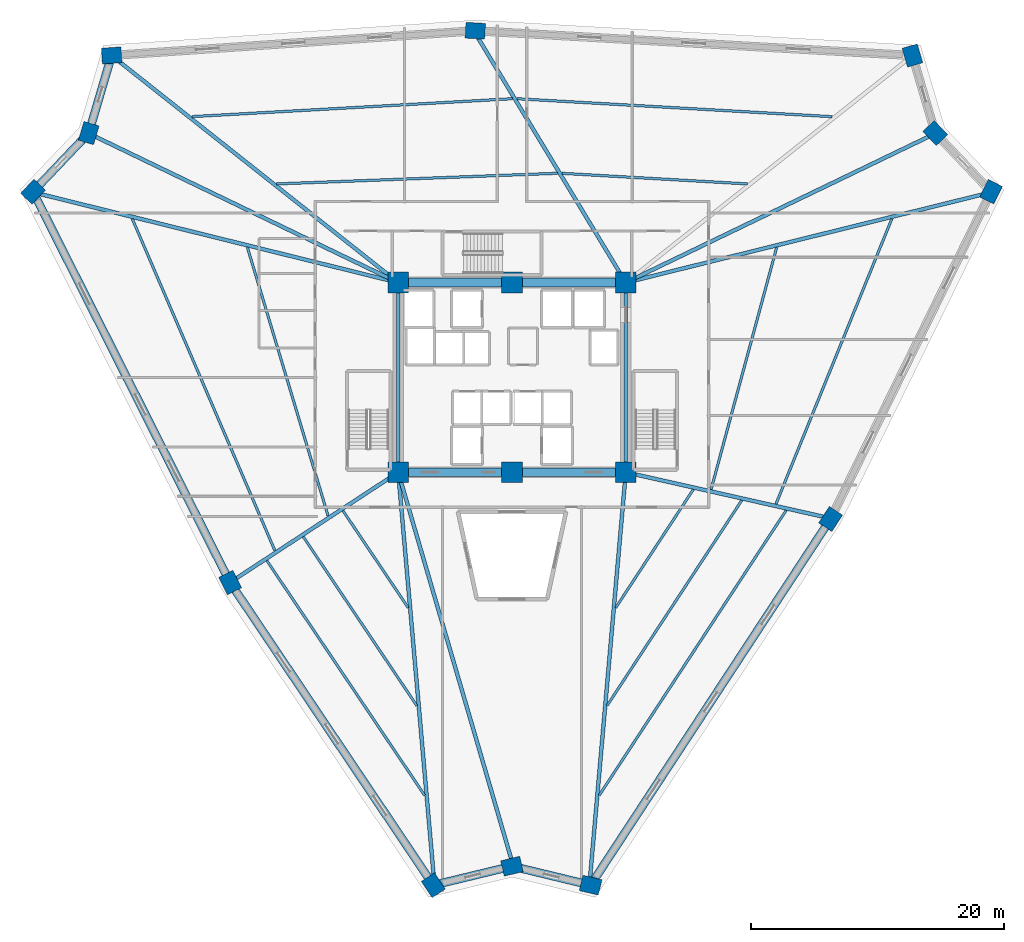
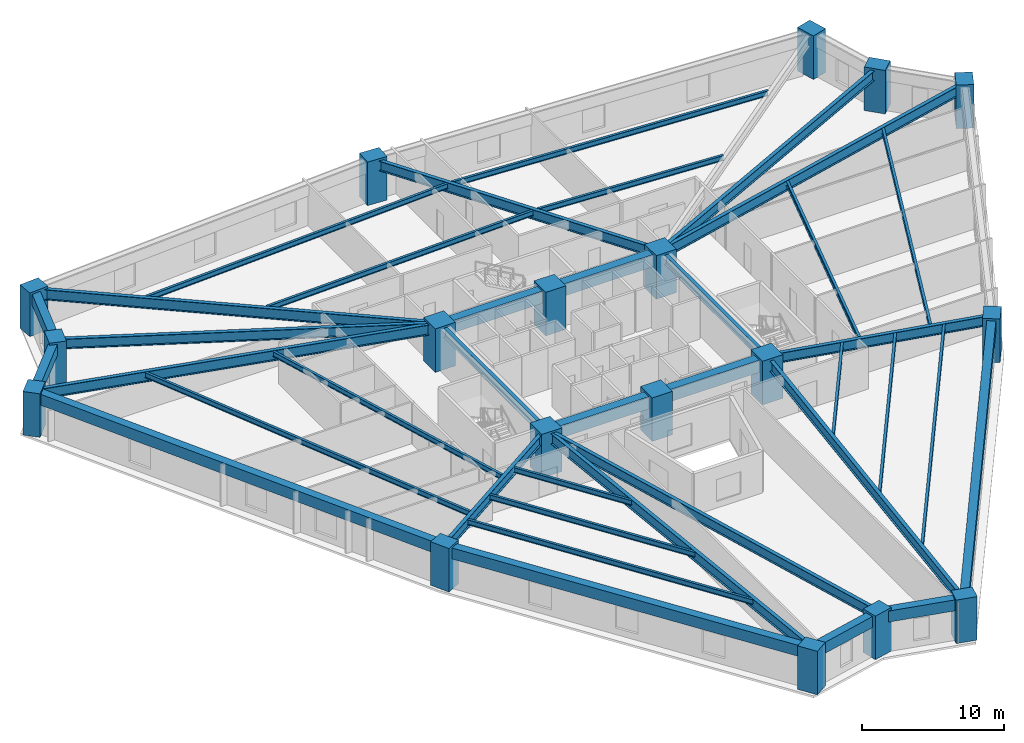
# One storey, part 1 of 8: 38 beams, 18 columns.
"""IFC4 building model written with IfcOpenShell, lengths in metres."""

from ifc_helpers import new_model, si_unit, direction, frame, origin, origin_2d, place, context, subcontext, project, spatial, rectangle, i_section, extrude, source, transform, mapped, material, material_profile, profile_set, type_object, element, save


model = new_model("IFC4")

# Units and contexts
model_context = context("Model", 3, precision=1e-05, world=origin(), true_north=direction((0.0, 1.0)))
body_context = subcontext(model_context, "Body", "Model", "MODEL_VIEW")
ifc_project = project(units=[si_unit("LENGTHUNIT", "METRE"), si_unit("AREAUNIT", "SQUARE_METRE"), si_unit("VOLUMEUNIT", "CUBIC_METRE"), si_unit("PLANEANGLEUNIT", "RADIAN"), si_unit("MASSUNIT", "GRAM", prefix="KILO")], contexts=[model_context])

# Site, building, storey
site_placement = place(None, origin())
site = spatial("IfcSite", under=ifc_project, at=site_placement, CompositionType="ELEMENT")
building_placement = place(site_placement, origin())
building = spatial("IfcBuilding", under=site, at=building_placement, Name="Liaohun Quay Tower", CompositionType="ELEMENT")
storey_placement = place(building_placement, frame((0.0, 0.0, 81.75)))
storey = spatial("IfcBuildingStorey", under=building, at=storey_placement, Name="L21", CompositionType="ELEMENT", Elevation=81.75)

# Columns
ifc_material_1 = material(Name="Concrete C60", Category="concrete")
ifc_material_profile_1 = material_profile(ifc_material_1, rectangle(XDim=1.64990234375, YDim=1.64990234375, at=origin_2d()), Name="RC1650x1650")
ifc_profile_set_1 = profile_set([ifc_material_profile_1], Name="Concrete C60")
column_type_1 = type_object("IfcColumnType", Name="COL-CC-Z1", PredefinedType="COLUMN", material=ifc_profile_set_1)
shared_shape_1 = source(origin(), body_context, "Body", "SweptSolid", [
    extrude(rectangle(XDim=1.64990234375, YDim=1.64990234375, at=origin_2d()), origin(), (0.0, 0.0, 1.0), 3.75),
])
for number, where, z_axis, x_axis, name in (
    (1, (51.0, 46.5, 0.0), (0.0, 0.0, 1.0), (1.0, 0.0, 0.0), "L21 Core Column CC1"),
    (2, (60.0, 46.5, 0.0), (0.0, 0.0, 1.0), (1.0, 0.0, 0.0), "L21 Core Column CC2"),
    (3, (69.0, 46.5, 0.0), (0.0, 0.0, 1.0), (1.0, 0.0, 0.0), "L21 Core Column CC3"),
    (4, (69.0, 61.5, 0.0), (0.0, 0.0, 1.0), (1.0, 0.0, 0.0), "L21 Core Column CC4"),
    (5, (60.0, 61.5, 0.0), (0.0, 0.0, 1.0), (1.0, 0.0, 0.0), "L21 Core Column CC5"),
    (6, (51.0, 61.5, 0.0), (0.0, 0.0, 1.0), (1.0, 0.0, 0.0), "L21 Core Column CC6"),
):
    element("IfcColumn", number, at=place(storey_placement, frame(where, z_axis=z_axis, x_axis=x_axis)), inside=storey, type_object=column_type_1, Name=name, PredefinedType="COLUMN", context=body_context, shape_type="MappedRepresentation", body=[
        mapped(shared_shape_1, transform((0.0, 0.0, 0.0), x_axis=(1.0, 0.0, 0.0), y_axis=(0.0, 1.0, 0.0), z_axis=(0.0, 0.0, 1.0), scale=1.0)),
    ])
ifc_material_profile_2 = material_profile(ifc_material_1, rectangle(XDim=1.550048828125, YDim=1.25, at=origin_2d()), Name="RC1550x1250")
ifc_profile_set_2 = profile_set([ifc_material_profile_2], Name="Concrete C60")
column_type_2 = type_object("IfcColumnType", Name="COL-PIER-Z1", PredefinedType="COLUMN", material=ifc_profile_set_2)
shared_shape_2 = source(origin(), body_context, "Body", "SweptSolid", [
    extrude(rectangle(XDim=1.550048828125, YDim=1.25, at=origin_2d()), origin(), (0.0, 0.0, 1.0), 3.75),
])
for number, where, z_axis, x_axis, name in (
    (7, (53.777099609375, 13.843994140625, 0.0), (0.0, 0.0, 1.0), (-0.557455346062, 0.830206924295, 0.0), "L21 Perimeter Pier PC01"),
    (8, (37.70703125, 37.777099609375, 0.0), (0.0, 0.0, 1.0), (-0.450254288408, 0.892900372813, 0.0), "L21 Perimeter Pier PC02"),
    (9, (22.117919921875, 68.693115234375, 0.0), (0.0, 0.0, 1.0), (0.68936671806, 0.724412539946, 0.0), "L21 Perimeter Pier PC03"),
    (10, (26.52587890625, 73.325927734375, 0.0), (0.0, 0.0, 1.0), (0.282676303383, 0.959215360337, 0.0), "L21 Perimeter Pier PC04"),
    (11, (28.3359375, 79.467041015625, 0.0), (0.0, 0.0, 1.0), (0.997707959868, 0.067667029017, 0.0), "L21 Perimeter Pier PC05"),
    (12, (57.096923828125, 81.41796875, 0.0), (0.0, 0.0, 1.0), (-0.998401550109, 0.056518534482, 0.0), "L21 Perimeter Pier PC06"),
    (13, (91.666015625, 79.4599609375, 0.0), (0.0, 0.0, 1.0), (-0.282676303383, 0.959215360337, 0.0), "L21 Perimeter Pier PC07"),
    (14, (93.47412109375, 73.325927734375, 0.0), (0.0, 0.0, 1.0), (-0.68936671806, 0.724412539946, 0.0), "L21 Perimeter Pier PC08"),
    (15, (97.886962890625, 68.68798828125, 0.0), (0.0, 0.0, 1.0), (0.440252613806, 0.897873953312, 0.0), "L21 Perimeter Pier PC09"),
    (16, (85.196044921875, 42.805908203125, 0.0), (0.0, 0.0, 1.0), (0.548147261701, 0.836381838331, 0.0), "L21 Perimeter Pier PC10"),
    (17, (66.216064453125, 13.845947265625, 0.0), (0.0, 0.0, 1.0), (-0.972043021443, 0.234802820391, 0.0), "L21 Perimeter Pier PC11"),
    (18, (60.0, 15.346923828125, 0.0), (0.0, 0.0, 1.0), (0.972043021443, 0.234802820391, 0.0), "L21 Perimeter Pier PC12"),
):
    element("IfcColumn", number, at=place(storey_placement, frame(where, z_axis=z_axis, x_axis=x_axis)), inside=storey, type_object=column_type_2, Name=name, PredefinedType="COLUMN", context=body_context, shape_type="MappedRepresentation", body=[
        mapped(shared_shape_2, transform((0.0, 0.0, 0.0), x_axis=(1.0, 0.0, 0.0), y_axis=(0.0, 1.0, 0.0), z_axis=(0.0, 0.0, 1.0), scale=1.0)),
    ])

# Beams
ifc_material_profile_3 = material_profile(ifc_material_1, rectangle(XDim=0.699951171875, YDim=1.050048828125, at=origin_2d()), Name="RC700x1050")
ifc_profile_set_3 = profile_set([ifc_material_profile_3], Name="Concrete C60")
beam_type_1 = type_object("IfcBeamType", Name="BM-CPL-1", PredefinedType="LINTEL", material=ifc_profile_set_3)
shared_shape_3 = source(origin(), body_context, "Body", "SweptSolid", [
    extrude(rectangle(XDim=0.699951171875, YDim=1.050048828125, at=origin_2d()), origin(), (0.0, 0.0, 1.0), 9.0),
])
for number, where, z_axis, x_axis, name in (
    (19, (51.0, 46.5, 3.044921875), (1.0, 0.0, 0.0), (0.0, 1.0, 0.0), "L21 Core Coupling/Ring Beam CC1-CC2"),
    (20, (60.0, 46.5, 3.044921875), (1.0, 0.0, 0.0), (0.0, 1.0, 0.0), "L21 Core Coupling/Ring Beam CC2-CC3"),
    (21, (69.0, 61.5, 3.044921875), (-1.0, 0.0, 0.0), (0.0, -1.0, 0.0), "L21 Core Coupling/Ring Beam CC4-CC5"),
    (22, (60.0, 61.5, 3.044921875), (-1.0, 0.0, 0.0), (0.0, -1.0, 0.0), "L21 Core Coupling/Ring Beam CC5-CC6"),
):
    element("IfcBeam", number, at=place(storey_placement, frame(where, z_axis=z_axis, x_axis=x_axis)), inside=storey, type_object=beam_type_1, Name=name, PredefinedType="LINTEL", context=body_context, shape_type="MappedRepresentation", body=[
        mapped(shared_shape_3, transform((0.0, 0.0, 0.0), x_axis=(1.0, 0.0, 0.0), y_axis=(0.0, 1.0, 0.0), z_axis=(0.0, 0.0, 1.0), scale=1.0)),
    ])
ifc_material_2 = material(Name="Steel Q355D", Category="steel")
ifc_material_profile_4 = material_profile(ifc_material_2, i_section(OverallWidth=0.300048828125, OverallDepth=0.800048828125, WebThickness=0.013916015625, FlangeThickness=0.02587890625, at=origin_2d()), Name="HN800x300x14x26")
ifc_profile_set_4 = profile_set([ifc_material_profile_4], Name="Steel Q355D")
beam_type_2 = type_object("IfcBeamType", Name="BM-RAD-M1", PredefinedType="BEAM", material=ifc_profile_set_4)
shared_shape_4 = source(origin(), body_context, "Body", "SweptSolid", [
    extrude(i_section(OverallWidth=0.300048828125, OverallDepth=0.800048828125, WebThickness=0.013916015625, FlangeThickness=0.02587890625, at=origin_2d()), origin(), (0.0, 0.0, 1.0), 15.0),
])
for number, where, z_axis, x_axis, name in (
    (23, (69.0, 46.5, 3.169921875), (0.0, 1.0, 0.0), (-1.0, 0.0, 0.0), "L21 Core Coupling/Ring Beam CC3-CC4"),
    (24, (51.0, 61.5, 3.169921875), (0.0, -1.0, 0.0), (1.0, 0.0, 0.0), "L21 Core Coupling/Ring Beam CC6-CC1"),
):
    element("IfcBeam", number, at=place(storey_placement, frame(where, z_axis=z_axis, x_axis=x_axis)), inside=storey, type_object=beam_type_2, Name=name, PredefinedType="BEAM", context=body_context, shape_type="MappedRepresentation", body=[
        mapped(shared_shape_4, transform((0.0, 0.0, 0.0), x_axis=(1.0, 0.0, 0.0), y_axis=(0.0, 1.0, 0.0), z_axis=(0.0, 0.0, 1.0), scale=1.0)),
    ])
ifc_material_3 = material(Name="Precast concrete C55", Category="concrete")
ifc_material_profile_5 = material_profile(ifc_material_3, rectangle(XDim=0.64990234375, YDim=0.949951171875, at=origin_2d()), Name="RC650x950")
ifc_profile_set_5 = profile_set([ifc_material_profile_5], Name="Precast concrete C55")
beam_type_3 = type_object("IfcBeamType", Name="BM-SPD-Z1", PredefinedType="SPANDREL", material=ifc_profile_set_5)
shared_shape_5 = source(origin(), body_context, "Body", "SweptSolid", [
    extrude(rectangle(XDim=0.64990234375, YDim=0.949951171875, at=origin_2d()), origin(), (0.0, 0.0, 1.0), 28.827880859375),
])
beam_1_placement = place(storey_placement, frame((53.777099609375, 13.843994140625, 3.094970703125), z_axis=(-0.557450865943, 0.830209932522, 0.0), x_axis=(-0.830209932522, -0.557450865943, 0.0)))
element("IfcBeam", 25, at=beam_1_placement, inside=storey, type_object=beam_type_3, Name="L21 Precast Spandrel Beam PC01-PC02", PredefinedType="SPANDREL", context=body_context, shape_type="MappedRepresentation", body=[
    mapped(shared_shape_5, transform((0.0, 0.0, 0.0), x_axis=(1.0, 0.0, 0.0), y_axis=(0.0, 1.0, 0.0), z_axis=(0.0, 0.0, 1.0), scale=1.0)),
])
shared_shape_6 = source(origin(), body_context, "Body", "SweptSolid", [
    extrude(rectangle(XDim=0.64990234375, YDim=0.949951171875, at=origin_2d()), origin(), (0.0, 0.0, 1.0), 34.6240234375),
])
beam_2_placement = place(storey_placement, frame((37.70703125, 37.777099609375, 3.094970703125), z_axis=(-0.450240225915, 0.892907463833, 0.0), x_axis=(-0.892907463833, -0.450240225915, 0.0)))
element("IfcBeam", 26, at=beam_2_placement, inside=storey, type_object=beam_type_3, Name="L21 Precast Spandrel Beam PC02-PC03", PredefinedType="SPANDREL", context=body_context, shape_type="MappedRepresentation", body=[
    mapped(shared_shape_6, transform((0.0, 0.0, 0.0), x_axis=(1.0, 0.0, 0.0), y_axis=(0.0, 1.0, 0.0), z_axis=(0.0, 0.0, 1.0), scale=1.0)),
])
shared_shape_7 = source(origin(), body_context, "Body", "SweptSolid", [
    extrude(rectangle(XDim=0.64990234375, YDim=0.949951171875, at=origin_2d()), origin(), (0.0, 0.0, 1.0), 6.394775390625),
])
for number, where, z_axis, x_axis, name in (
    (27, (22.117919921875, 68.693115234375, 3.094970703125), (0.689307131095, 0.724469239527, 0.0), (-0.724469239527, 0.689307131095, 0.0), "L21 Precast Spandrel Beam PC03-PC04"),
    (28, (66.216064453125, 13.845947265625, 3.094970703125), (-0.97206268699, 0.234721393489, 0.0), (-0.234721393489, -0.97206268699, 0.0), "L21 Precast Spandrel Beam PC11-PC12"),
):
    element("IfcBeam", number, at=place(storey_placement, frame(where, z_axis=z_axis, x_axis=x_axis)), inside=storey, type_object=beam_type_3, Name=name, PredefinedType="SPANDREL", context=body_context, shape_type="MappedRepresentation", body=[
        mapped(shared_shape_7, transform((0.0, 0.0, 0.0), x_axis=(1.0, 0.0, 0.0), y_axis=(0.0, 1.0, 0.0), z_axis=(0.0, 0.0, 1.0), scale=1.0)),
    ])
shared_shape_8 = source(origin(), body_context, "Body", "SweptSolid", [
    extrude(rectangle(XDim=0.64990234375, YDim=0.949951171875, at=origin_2d()), origin(), (0.0, 0.0, 1.0), 6.40234375),
])
beam_3_placement = place(storey_placement, frame((26.52587890625, 73.325927734375, 3.094970703125), z_axis=(0.282719572849, 0.959202607965, 0.0), x_axis=(-0.959202607965, 0.282719572849, 0.0)))
element("IfcBeam", 29, at=beam_3_placement, inside=storey, type_object=beam_type_3, Name="L21 Precast Spandrel Beam PC04-PC05", PredefinedType="SPANDREL", context=body_context, shape_type="MappedRepresentation", body=[
    mapped(shared_shape_8, transform((0.0, 0.0, 0.0), x_axis=(1.0, 0.0, 0.0), y_axis=(0.0, 1.0, 0.0), z_axis=(0.0, 0.0, 1.0), scale=1.0)),
])
shared_shape_9 = source(origin(), body_context, "Body", "SweptSolid", [
    extrude(rectangle(XDim=0.64990234375, YDim=0.949951171875, at=origin_2d()), origin(), (0.0, 0.0, 1.0), 6.40185546875),
])
beam_4_placement = place(storey_placement, frame((60.0, 15.346923828125, 3.094970703125), z_axis=(-0.972051905812, -0.234766037592, 0.0), x_axis=(0.234766037592, -0.972051905812, 0.0)))
element("IfcBeam", 30, at=beam_4_placement, inside=storey, type_object=beam_type_3, Name="L21 Precast Spandrel Beam PC12-PC01", PredefinedType="SPANDREL", context=body_context, shape_type="MappedRepresentation", body=[
    mapped(shared_shape_9, transform((0.0, 0.0, 0.0), x_axis=(1.0, 0.0, 0.0), y_axis=(0.0, 1.0, 0.0), z_axis=(0.0, 0.0, 1.0), scale=1.0)),
])
shared_shape_10 = source(origin(), body_context, "Body", "SweptSolid", [
    extrude(rectangle(XDim=0.64990234375, YDim=0.949951171875, at=origin_2d()), origin(), (0.0, 0.0, 1.0), 34.62548828125),
])
beam_5_placement = place(storey_placement, frame((85.196044921875, 42.805908203125, 3.094970703125), z_axis=(-0.548151794867, -0.836378867371, 0.0), x_axis=(0.836378867371, -0.548151794867, 0.0)))
element("IfcBeam", 31, at=beam_5_placement, inside=storey, type_object=beam_type_3, Name="L21 Precast Spandrel Beam PC10-PC11", PredefinedType="SPANDREL", context=body_context, shape_type="MappedRepresentation", body=[
    mapped(shared_shape_10, transform((0.0, 0.0, 0.0), x_axis=(1.0, 0.0, 0.0), y_axis=(0.0, 1.0, 0.0), z_axis=(0.0, 0.0, 1.0), scale=1.0)),
])
ifc_material_4 = material(Name="Steel Q420D", Category="steel")
ifc_material_profile_6 = material_profile(ifc_material_4, i_section(OverallWidth=0.300048828125, OverallDepth=0.89990234375, WebThickness=0.01611328125, FlangeThickness=0.028076171875, at=origin_2d()), Name="HN900x300x16x28")
ifc_profile_set_6 = profile_set([ifc_material_profile_6], Name="Steel Q420D")
beam_type_4 = type_object("IfcBeamType", Name="BM-RAD-H1", PredefinedType="BEAM", material=ifc_profile_set_6)
shared_shape_11 = source(origin(), body_context, "Body", "SweptSolid", [
    extrude(i_section(OverallWidth=0.300048828125, OverallDepth=0.89990234375, WebThickness=0.01611328125, FlangeThickness=0.028076171875, at=origin_2d()), origin(), (0.0, 0.0, 1.0), 32.3974609375),
])
beam_6_placement = place(storey_placement, frame((51.0, 46.5, 3.1201171875), z_axis=(0.087596022997, -0.996156080519, 0.0), x_axis=(0.996156080519, 0.087596022997, 0.0)))
element("IfcBeam", 32, at=beam_6_placement, inside=storey, type_object=beam_type_4, Name="L21 Radial Primary Girder CC1-PC01", PredefinedType="BEAM", context=body_context, shape_type="MappedRepresentation", body=[
    mapped(shared_shape_11, transform((0.0, 0.0, 0.0), x_axis=(1.0, 0.0, 0.0), y_axis=(0.0, 1.0, 0.0), z_axis=(0.0, 0.0, 1.0), scale=1.0)),
])
ifc_material_profile_7 = material_profile(ifc_material_2, i_section(OverallWidth=0.300048828125, OverallDepth=0.85009765625, WebThickness=0.01611328125, FlangeThickness=0.028076171875, at=origin_2d()), Name="HN850x300x16x28")
ifc_profile_set_7 = profile_set([ifc_material_profile_7], Name="Steel Q355D")
beam_type_5 = type_object("IfcBeamType", Name="BM-RAD-H2", PredefinedType="BEAM", material=ifc_profile_set_7)
shared_shape_12 = source(origin(), body_context, "Body", "SweptSolid", [
    extrude(i_section(OverallWidth=0.300048828125, OverallDepth=0.85009765625, WebThickness=0.01611328125, FlangeThickness=0.028076171875, at=origin_2d()), origin(), (0.0, 0.0, 1.0), 15.6494140625),
])
beam_7_placement = place(storey_placement, frame((51.0, 46.5, 3.14501953125), z_axis=(-0.836518335776, -0.547938932647, 0.0), x_axis=(0.547938932647, -0.836518335776, 0.0)))
element("IfcBeam", 33, at=beam_7_placement, inside=storey, type_object=beam_type_5, Name="L21 Radial Primary Girder CC1-PC02", PredefinedType="BEAM", context=body_context, shape_type="MappedRepresentation", body=[
    mapped(shared_shape_12, transform((0.0, 0.0, 0.0), x_axis=(1.0, 0.0, 0.0), y_axis=(0.0, 1.0, 0.0), z_axis=(0.0, 0.0, 1.0), scale=1.0)),
])
shared_shape_13 = source(origin(), body_context, "Body", "SweptSolid", [
    extrude(i_section(OverallWidth=0.300048828125, OverallDepth=0.89990234375, WebThickness=0.01611328125, FlangeThickness=0.028076171875, at=origin_2d()), origin(), (0.0, 0.0, 1.0), 29.380615234375),
])
beam_8_placement = place(storey_placement, frame((51.0, 61.5, 3.1201171875), z_axis=(-0.970742678292, 0.240122161704, 0.0), x_axis=(-0.240122161704, -0.970742678292, 0.0)))
element("IfcBeam", 34, at=beam_8_placement, inside=storey, type_object=beam_type_4, Name="L21 Radial Primary Girder CC6-PC03", PredefinedType="BEAM", context=body_context, shape_type="MappedRepresentation", body=[
    mapped(shared_shape_13, transform((0.0, 0.0, 0.0), x_axis=(1.0, 0.0, 0.0), y_axis=(0.0, 1.0, 0.0), z_axis=(0.0, 0.0, 1.0), scale=1.0)),
])
shared_shape_14 = source(origin(), body_context, "Body", "SweptSolid", [
    extrude(i_section(OverallWidth=0.300048828125, OverallDepth=0.85009765625, WebThickness=0.01611328125, FlangeThickness=0.028076171875, at=origin_2d()), origin(), (0.0, 0.0, 1.0), 26.814208984375),
])
for number, where, z_axis, x_axis, name in (
    (35, (51.0, 61.5, 3.14501953125), (-0.900828270429, 0.434175571854, 0.0), (-0.434175571854, -0.900828270429, 0.0), "L21 Radial Primary Girder CC6-PC04"),
    (36, (69.0, 61.5, 3.14501953125), (0.900828270429, 0.434175571854, 0.0), (-0.434175571854, 0.900828270429, 0.0), "L21 Radial Primary Girder CC4-PC08"),
):
    element("IfcBeam", number, at=place(storey_placement, frame(where, z_axis=z_axis, x_axis=x_axis)), inside=storey, type_object=beam_type_5, Name=name, PredefinedType="BEAM", context=body_context, shape_type="MappedRepresentation", body=[
        mapped(shared_shape_14, transform((0.0, 0.0, 0.0), x_axis=(1.0, 0.0, 0.0), y_axis=(0.0, 1.0, 0.0), z_axis=(0.0, 0.0, 1.0), scale=1.0)),
    ])
shared_shape_15 = source(origin(), body_context, "Body", "SweptSolid", [
    extrude(i_section(OverallWidth=0.300048828125, OverallDepth=0.89990234375, WebThickness=0.01611328125, FlangeThickness=0.028076171875, at=origin_2d()), origin(), (0.0, 0.0, 1.0), 28.53369140625),
])
beam_9_placement = place(storey_placement, frame((51.0, 61.5, 3.1201171875), z_axis=(-0.783741240078, 0.621087488685, 0.0), x_axis=(-0.621087488685, -0.783741240078, 0.0)))
element("IfcBeam", 37, at=beam_9_placement, inside=storey, type_object=beam_type_4, Name="L21 Radial Primary Girder CC6-PC05", PredefinedType="BEAM", context=body_context, shape_type="MappedRepresentation", body=[
    mapped(shared_shape_15, transform((0.0, 0.0, 0.0), x_axis=(1.0, 0.0, 0.0), y_axis=(0.0, 1.0, 0.0), z_axis=(0.0, 0.0, 1.0), scale=1.0)),
])
shared_shape_16 = source(origin(), body_context, "Body", "SweptSolid", [
    extrude(i_section(OverallWidth=0.300048828125, OverallDepth=0.85009765625, WebThickness=0.01611328125, FlangeThickness=0.028076171875, at=origin_2d()), origin(), (0.0, 0.0, 1.0), 22.975341796875),
])
beam_10_placement = place(storey_placement, frame((69.0, 61.5, 3.14501953125), z_axis=(-0.516900248141, 0.856045637494, 0.0), x_axis=(-0.856045637494, -0.516900248141, 0.0)))
element("IfcBeam", 38, at=beam_10_placement, inside=storey, type_object=beam_type_5, Name="L21 Radial Primary Girder CC4-PC06", PredefinedType="BEAM", context=body_context, shape_type="MappedRepresentation", body=[
    mapped(shared_shape_16, transform((0.0, 0.0, 0.0), x_axis=(1.0, 0.0, 0.0), y_axis=(0.0, 1.0, 0.0), z_axis=(0.0, 0.0, 1.0), scale=1.0)),
])
shared_shape_17 = source(origin(), body_context, "Body", "SweptSolid", [
    extrude(i_section(OverallWidth=0.300048828125, OverallDepth=0.89990234375, WebThickness=0.01611328125, FlangeThickness=0.028076171875, at=origin_2d()), origin(), (0.0, 0.0, 1.0), 29.38330078125),
])
beam_11_placement = place(storey_placement, frame((69.0, 61.5, 3.1201171875), z_axis=(0.970789060717, 0.239934573566, 0.0), x_axis=(-0.239934573566, 0.970789060717, 0.0)))
element("IfcBeam", 39, at=beam_11_placement, inside=storey, type_object=beam_type_4, Name="L21 Radial Primary Girder CC4-PC09", PredefinedType="BEAM", context=body_context, shape_type="MappedRepresentation", body=[
    mapped(shared_shape_17, transform((0.0, 0.0, 0.0), x_axis=(1.0, 0.0, 0.0), y_axis=(0.0, 1.0, 0.0), z_axis=(0.0, 0.0, 1.0), scale=1.0)),
])
shared_shape_18 = source(origin(), body_context, "Body", "SweptSolid", [
    extrude(i_section(OverallWidth=0.300048828125, OverallDepth=0.85009765625, WebThickness=0.01611328125, FlangeThickness=0.028076171875, at=origin_2d()), origin(), (0.0, 0.0, 1.0), 16.3662109375),
])
beam_12_placement = place(storey_placement, frame((69.0, 46.5, 3.14501953125), z_axis=(0.975604085259, -0.21953739733, 0.0), x_axis=(0.21953739733, 0.975604085259, 0.0)))
element("IfcBeam", 40, at=beam_12_placement, inside=storey, type_object=beam_type_5, Name="L21 Radial Primary Girder CC3-PC10", PredefinedType="BEAM", context=body_context, shape_type="MappedRepresentation", body=[
    mapped(shared_shape_18, transform((0.0, 0.0, 0.0), x_axis=(1.0, 0.0, 0.0), y_axis=(0.0, 1.0, 0.0), z_axis=(0.0, 0.0, 1.0), scale=1.0)),
])
shared_shape_19 = source(origin(), body_context, "Body", "SweptSolid", [
    extrude(i_section(OverallWidth=0.300048828125, OverallDepth=0.89990234375, WebThickness=0.01611328125, FlangeThickness=0.028076171875, at=origin_2d()), origin(), (0.0, 0.0, 1.0), 32.396240234375),
])
beam_13_placement = place(storey_placement, frame((69.0, 46.5, 3.1201171875), z_axis=(-0.087818151499, -0.996136522906, 0.0), x_axis=(0.996136522906, -0.087818151499, 0.0)))
element("IfcBeam", 41, at=beam_13_placement, inside=storey, type_object=beam_type_4, Name="L21 Radial Primary Girder CC3-PC11", PredefinedType="BEAM", context=body_context, shape_type="MappedRepresentation", body=[
    mapped(shared_shape_19, transform((0.0, 0.0, 0.0), x_axis=(1.0, 0.0, 0.0), y_axis=(0.0, 1.0, 0.0), z_axis=(0.0, 0.0, 1.0), scale=1.0)),
])
shared_shape_20 = source(origin(), body_context, "Body", "SweptSolid", [
    extrude(i_section(OverallWidth=0.300048828125, OverallDepth=0.85009765625, WebThickness=0.01611328125, FlangeThickness=0.028076171875, at=origin_2d()), origin(), (0.0, 0.0, 1.0), 32.073486328125),
])
beam_14_placement = place(storey_placement, frame((51.0, 46.5, 3.14501953125), z_axis=(0.280605291791, -0.959823249468, 0.0), x_axis=(0.959823249468, 0.280605291791, 0.0)))
element("IfcBeam", 42, at=beam_14_placement, inside=storey, type_object=beam_type_5, Name="L21 Radial Primary Girder CC1-PC12", PredefinedType="BEAM", context=body_context, shape_type="MappedRepresentation", body=[
    mapped(shared_shape_20, transform((0.0, 0.0, 0.0), x_axis=(1.0, 0.0, 0.0), y_axis=(0.0, 1.0, 0.0), z_axis=(0.0, 0.0, 1.0), scale=1.0)),
])
ifc_material_profile_8 = material_profile(ifc_material_2, i_section(OverallWidth=0.199951171875, OverallDepth=0.449951171875, WebThickness=0.009033203125, FlangeThickness=0.013916015625, at=origin_2d()), Name="HN450x200x9x14")
ifc_profile_set_8 = profile_set([ifc_material_profile_8], Name="Steel Q355D")
beam_type_6 = type_object("IfcBeamType", Name="BM-SEC-J1", PredefinedType="JOIST", material=ifc_profile_set_8)
shared_shape_21 = source(origin(), body_context, "Body", "SweptSolid", [
    extrude(i_section(OverallWidth=0.199951171875, OverallDepth=0.449951171875, WebThickness=0.009033203125, FlangeThickness=0.013916015625, at=origin_2d()), origin(), (0.0, 0.0, 1.0), 9.247802734375),
])
beam_15_placement = place(storey_placement, frame((51.7919921875, 35.784912109375, 3.344970703125), z_axis=(-0.557858096959, 0.82993634916, 0.0), x_axis=(-0.82993634916, -0.557858096959, 0.0)))
element("IfcBeam", 43, at=beam_15_placement, inside=storey, type_object=beam_type_6, Name="L21 Wing Secondary Floor Joist SJ-01", PredefinedType="JOIST", context=body_context, shape_type="MappedRepresentation", body=[
    mapped(shared_shape_21, transform((0.0, 0.0, 0.0), x_axis=(1.0, 0.0, 0.0), y_axis=(0.0, 1.0, 0.0), z_axis=(0.0, 0.0, 1.0), scale=1.0)),
])
shared_shape_22 = source(origin(), body_context, "Body", "SweptSolid", [
    extrude(i_section(OverallWidth=0.199951171875, OverallDepth=0.449951171875, WebThickness=0.009033203125, FlangeThickness=0.013916015625, at=origin_2d()), origin(), (0.0, 0.0, 1.0), 16.10107421875),
])
beam_16_placement = place(storey_placement, frame((52.472900390625, 28.0390625, 3.344970703125), z_axis=(-0.557845454064, 0.829944847192, 0.0), x_axis=(-0.829944847192, -0.557845454064, 0.0)))
element("IfcBeam", 44, at=beam_16_placement, inside=storey, type_object=beam_type_6, Name="L21 Wing Secondary Floor Joist SJ-02", PredefinedType="JOIST", context=body_context, shape_type="MappedRepresentation", body=[
    mapped(shared_shape_22, transform((0.0, 0.0, 0.0), x_axis=(1.0, 0.0, 0.0), y_axis=(0.0, 1.0, 0.0), z_axis=(0.0, 0.0, 1.0), scale=1.0)),
])
shared_shape_23 = source(origin(), body_context, "Body", "SweptSolid", [
    extrude(i_section(OverallWidth=0.199951171875, OverallDepth=0.449951171875, WebThickness=0.009033203125, FlangeThickness=0.013916015625, at=origin_2d()), origin(), (0.0, 0.0, 1.0), 22.383056640625),
])
beam_17_placement = place(storey_placement, frame((53.096923828125, 20.93896484375, 3.344970703125), z_axis=(-0.557822488475, 0.829960282997, 0.0), x_axis=(-0.829960282997, -0.557822488475, 0.0)))
element("IfcBeam", 45, at=beam_17_placement, inside=storey, type_object=beam_type_6, Name="L21 Wing Secondary Floor Joist SJ-03", PredefinedType="JOIST", context=body_context, shape_type="MappedRepresentation", body=[
    mapped(shared_shape_23, transform((0.0, 0.0, 0.0), x_axis=(1.0, 0.0, 0.0), y_axis=(0.0, 1.0, 0.0), z_axis=(0.0, 0.0, 1.0), scale=1.0)),
])
shared_shape_24 = source(origin(), body_context, "Body", "SweptSolid", [
    extrude(i_section(OverallWidth=0.199951171875, OverallDepth=0.449951171875, WebThickness=0.009033203125, FlangeThickness=0.013916015625, at=origin_2d()), origin(), (0.0, 0.0, 1.0), 22.186767578125),
])
beam_18_placement = place(storey_placement, frame((45.45703125, 43.048095703125, 3.344970703125), z_axis=(-0.287829396711, 0.957681699934, 0.0), x_axis=(-0.957681699934, -0.287829396711, 0.0)))
element("IfcBeam", 46, at=beam_18_placement, inside=storey, type_object=beam_type_6, Name="L21 Wing Secondary Floor Joist SJ-04", PredefinedType="JOIST", context=body_context, shape_type="MappedRepresentation", body=[
    mapped(shared_shape_24, transform((0.0, 0.0, 0.0), x_axis=(1.0, 0.0, 0.0), y_axis=(0.0, 1.0, 0.0), z_axis=(0.0, 0.0, 1.0), scale=1.0)),
])
shared_shape_25 = source(origin(), body_context, "Body", "SweptSolid", [
    extrude(i_section(OverallWidth=0.199951171875, OverallDepth=0.449951171875, WebThickness=0.009033203125, FlangeThickness=0.013916015625, at=origin_2d()), origin(), (0.0, 0.0, 1.0), 28.576416015625),
])
beam_19_placement = place(storey_placement, frame((41.2529296875, 40.2939453125, 3.344970703125), z_axis=(-0.394869767762, 0.918737104131, 0.0), x_axis=(-0.918737104131, -0.394869767762, 0.0)))
element("IfcBeam", 47, at=beam_19_placement, inside=storey, type_object=beam_type_6, Name="L21 Wing Secondary Floor Joist SJ-05", PredefinedType="JOIST", context=body_context, shape_type="MappedRepresentation", body=[
    mapped(shared_shape_25, transform((0.0, 0.0, 0.0), x_axis=(1.0, 0.0, 0.0), y_axis=(0.0, 1.0, 0.0), z_axis=(0.0, 0.0, 1.0), scale=1.0)),
])
shared_shape_26 = source(origin(), body_context, "Body", "SweptSolid", [
    extrude(i_section(OverallWidth=0.199951171875, OverallDepth=0.449951171875, WebThickness=0.009033203125, FlangeThickness=0.013916015625, at=origin_2d()), origin(), (0.0, 0.0, 1.0), 22.227783203125),
])
beam_20_placement = place(storey_placement, frame((41.39111328125, 69.305908203125, 3.344970703125), z_axis=(0.999283873274, 0.037838348466, 0.0), x_axis=(-0.037838348466, 0.999283873274, 0.0)))
element("IfcBeam", 48, at=beam_20_placement, inside=storey, type_object=beam_type_6, Name="L21 Wing Secondary Floor Joist SJ-06", PredefinedType="JOIST", context=body_context, shape_type="MappedRepresentation", body=[
    mapped(shared_shape_26, transform((0.0, 0.0, 0.0), x_axis=(1.0, 0.0, 0.0), y_axis=(0.0, 1.0, 0.0), z_axis=(0.0, 0.0, 1.0), scale=1.0)),
])
shared_shape_27 = source(origin(), body_context, "Body", "SweptSolid", [
    extrude(i_section(OverallWidth=0.199951171875, OverallDepth=0.449951171875, WebThickness=0.009033203125, FlangeThickness=0.013916015625, at=origin_2d()), origin(), (0.0, 0.0, 1.0), 25.404541015625),
])
beam_21_placement = place(storey_placement, frame((34.677001953125, 74.626953125, 3.344970703125), z_axis=(0.998441102826, 0.055815447569, 0.0), x_axis=(-0.055815447569, 0.998441102826, 0.0)))
element("IfcBeam", 49, at=beam_21_placement, inside=storey, type_object=beam_type_6, Name="L21 Wing Secondary Floor Joist SJ-07", PredefinedType="JOIST", context=body_context, shape_type="MappedRepresentation", body=[
    mapped(shared_shape_27, transform((0.0, 0.0, 0.0), x_axis=(1.0, 0.0, 0.0), y_axis=(0.0, 1.0, 0.0), z_axis=(0.0, 0.0, 1.0), scale=1.0)),
])
shared_shape_28 = source(origin(), body_context, "Body", "SweptSolid", [
    extrude(i_section(OverallWidth=0.199951171875, OverallDepth=0.449951171875, WebThickness=0.009033203125, FlangeThickness=0.013916015625, at=origin_2d()), origin(), (0.0, 0.0, 1.0), 14.682861328125),
])
beam_22_placement = place(storey_placement, frame((63.9560546875, 70.14404296875, 3.344970703125), z_axis=(0.998373255033, -0.057016169937, 0.0), x_axis=(0.057016169937, 0.998373255033, 0.0)))
element("IfcBeam", 50, at=beam_22_placement, inside=storey, type_object=beam_type_6, Name="L21 Wing Secondary Floor Joist SJ-08", PredefinedType="JOIST", context=body_context, shape_type="MappedRepresentation", body=[
    mapped(shared_shape_28, transform((0.0, 0.0, 0.0), x_axis=(1.0, 0.0, 0.0), y_axis=(0.0, 1.0, 0.0), z_axis=(0.0, 0.0, 1.0), scale=1.0)),
])
shared_shape_29 = source(origin(), body_context, "Body", "SweptSolid", [
    extrude(i_section(OverallWidth=0.199951171875, OverallDepth=0.449951171875, WebThickness=0.009033203125, FlangeThickness=0.013916015625, at=origin_2d()), origin(), (0.0, 0.0, 1.0), 24.972412109375),
])
beam_23_placement = place(storey_placement, frame((60.39306640625, 76.0439453125, 3.344970703125), z_axis=(0.99837772379, -0.056937866485, 0.0), x_axis=(0.056937866485, 0.99837772379, 0.0)))
element("IfcBeam", 51, at=beam_23_placement, inside=storey, type_object=beam_type_6, Name="L21 Wing Secondary Floor Joist SJ-09", PredefinedType="JOIST", context=body_context, shape_type="MappedRepresentation", body=[
    mapped(shared_shape_29, transform((0.0, 0.0, 0.0), x_axis=(1.0, 0.0, 0.0), y_axis=(0.0, 1.0, 0.0), z_axis=(0.0, 0.0, 1.0), scale=1.0)),
])
shared_shape_30 = source(origin(), body_context, "Body", "SweptSolid", [
    extrude(i_section(OverallWidth=0.199951171875, OverallDepth=0.449951171875, WebThickness=0.009033203125, FlangeThickness=0.013916015625, at=origin_2d()), origin(), (0.0, 0.0, 1.0), 19.849609375),
])
beam_24_placement = place(storey_placement, frame((80.93603515625, 64.294921875, 3.344970703125), z_axis=(-0.261511204359, -0.96520044032, 0.0), x_axis=(0.96520044032, -0.261511204359, 0.0)))
element("IfcBeam", 52, at=beam_24_placement, inside=storey, type_object=beam_type_6, Name="L21 Wing Secondary Floor Joist SJ-10", PredefinedType="JOIST", context=body_context, shape_type="MappedRepresentation", body=[
    mapped(shared_shape_30, transform((0.0, 0.0, 0.0), x_axis=(1.0, 0.0, 0.0), y_axis=(0.0, 1.0, 0.0), z_axis=(0.0, 0.0, 1.0), scale=1.0)),
])
shared_shape_31 = source(origin(), body_context, "Body", "SweptSolid", [
    extrude(i_section(OverallWidth=0.199951171875, OverallDepth=0.449951171875, WebThickness=0.009033203125, FlangeThickness=0.013916015625, at=origin_2d()), origin(), (0.0, 0.0, 1.0), 24.353759765625),
])
beam_25_placement = place(storey_placement, frame((90.0390625, 66.544921875, 3.344970703125), z_axis=(-0.376370055654, -0.926469417308, 0.0), x_axis=(0.926469417308, -0.376370055654, 0.0)))
element("IfcBeam", 53, at=beam_25_placement, inside=storey, type_object=beam_type_6, Name="L21 Wing Secondary Floor Joist SJ-11", PredefinedType="JOIST", context=body_context, shape_type="MappedRepresentation", body=[
    mapped(shared_shape_31, transform((0.0, 0.0, 0.0), x_axis=(1.0, 0.0, 0.0), y_axis=(0.0, 1.0, 0.0), z_axis=(0.0, 0.0, 1.0), scale=1.0)),
])
shared_shape_32 = source(origin(), body_context, "Body", "SweptSolid", [
    extrude(i_section(OverallWidth=0.199951171875, OverallDepth=0.449951171875, WebThickness=0.009033203125, FlangeThickness=0.013916015625, at=origin_2d()), origin(), (0.0, 0.0, 1.0), 11.183349609375),
])
beam_26_placement = place(storey_placement, frame((74.341064453125, 45.14404296875, 3.344970703125), z_axis=(-0.548493349902, -0.836154916934, 0.0), x_axis=(0.836154916934, -0.548493349902, 0.0)))
element("IfcBeam", 54, at=beam_26_placement, inside=storey, type_object=beam_type_6, Name="L21 Wing Secondary Floor Joist SJ-12", PredefinedType="JOIST", context=body_context, shape_type="MappedRepresentation", body=[
    mapped(shared_shape_32, transform((0.0, 0.0, 0.0), x_axis=(1.0, 0.0, 0.0), y_axis=(0.0, 1.0, 0.0), z_axis=(0.0, 0.0, 1.0), scale=1.0)),
])
shared_shape_33 = source(origin(), body_context, "Body", "SweptSolid", [
    extrude(i_section(OverallWidth=0.199951171875, OverallDepth=0.449951171875, WebThickness=0.009033203125, FlangeThickness=0.013916015625, at=origin_2d()), origin(), (0.0, 0.0, 1.0), 19.4150390625),
])
beam_27_placement = place(storey_placement, frame((78.173095703125, 44.281982421875, 3.344970703125), z_axis=(-0.548500967772, -0.836149919783, 0.0), x_axis=(0.836149919783, -0.548500967772, 0.0)))
element("IfcBeam", 55, at=beam_27_placement, inside=storey, type_object=beam_type_6, Name="L21 Wing Secondary Floor Joist SJ-13", PredefinedType="JOIST", context=body_context, shape_type="MappedRepresentation", body=[
    mapped(shared_shape_33, transform((0.0, 0.0, 0.0), x_axis=(1.0, 0.0, 0.0), y_axis=(0.0, 1.0, 0.0), z_axis=(0.0, 0.0, 1.0), scale=1.0)),
])
shared_shape_34 = source(origin(), body_context, "Body", "SweptSolid", [
    extrude(i_section(OverallWidth=0.199951171875, OverallDepth=0.449951171875, WebThickness=0.009033203125, FlangeThickness=0.013916015625, at=origin_2d()), origin(), (0.0, 0.0, 1.0), 26.96142578125),
])
beam_28_placement = place(storey_placement, frame((81.68603515625, 43.491943359375, 3.344970703125), z_axis=(-0.548491076155, -0.836156408442, 0.0), x_axis=(0.836156408442, -0.548491076155, 0.0)))
element("IfcBeam", 56, at=beam_28_placement, inside=storey, type_object=beam_type_6, Name="L21 Wing Secondary Floor Joist SJ-14", PredefinedType="JOIST", context=body_context, shape_type="MappedRepresentation", body=[
    mapped(shared_shape_34, transform((0.0, 0.0, 0.0), x_axis=(1.0, 0.0, 0.0), y_axis=(0.0, 1.0, 0.0), z_axis=(0.0, 0.0, 1.0), scale=1.0)),
])

save(model, "model.ifc")
